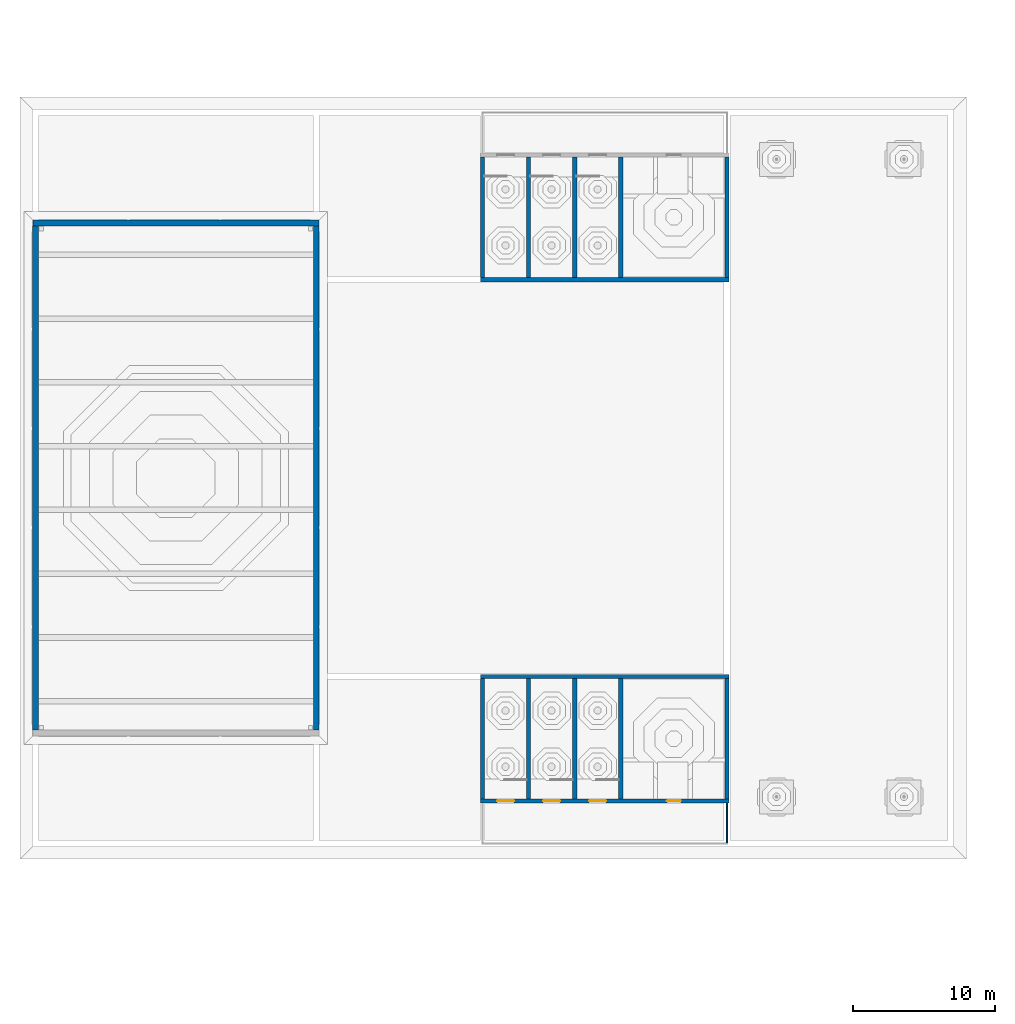
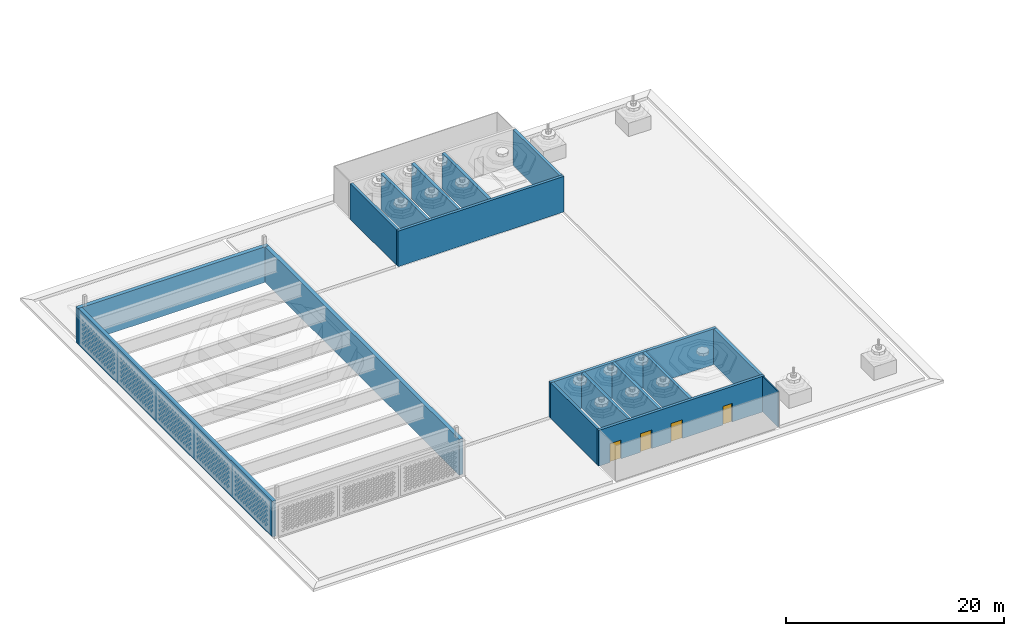
# One storey, part 7 of 63: 17 walls, 4 doors, 4 openings.
"""IFC4 building model written with IfcOpenShell, lengths in metres."""

from ifc_helpers import new_model, si_unit, direction, frame, frame_2d, origin, place, context, subcontext, project, spatial, rectangle, extrude, material, layer, layer_set, type_object, element, fill, save


model = new_model("IFC4")

# Units and contexts
model_context = context("Model", 3, precision=1e-05, world=origin(), true_north=direction((0.0, 1.0)))
body_context = subcontext(model_context, "Body", "Model", "MODEL_VIEW")
ifc_project = project(units=[si_unit("LENGTHUNIT", "METRE"), si_unit("AREAUNIT", "SQUARE_METRE"), si_unit("VOLUMEUNIT", "CUBIC_METRE"), si_unit("PLANEANGLEUNIT", "RADIAN"), si_unit("MASSUNIT", "GRAM", prefix="KILO")], contexts=[model_context])

# Site, building, storey
site_placement = place(None, origin())
site = spatial("IfcSite", under=ifc_project, at=site_placement, CompositionType="ELEMENT")
building_placement = place(site_placement, origin())
building = spatial("IfcBuilding", under=site, at=building_placement, Name="Noorbagh Ring Tower", CompositionType="ELEMENT")
storey_placement = place(building_placement, frame((0.0, 0.0, 25.0)))
storey = spatial("IfcBuildingStorey", under=building, at=storey_placement, Name="L04", CompositionType="ELEMENT", Elevation=25.0)

# Walls
ifc_material_1 = material(Name="Gypsum board on steel studs", Category="steel")
ifc_layer_1 = layer(ifc_material_1, 0.10009765625)
ifc_layer_set_1 = layer_set([ifc_layer_1], Name="Gypsum board on steel studs")
wall_type_1 = type_object("IfcWallType", Name="TH-PART-100", PredefinedType="PARTITIONING", material=ifc_layer_set_1)
wall_1_placement = place(storey_placement, frame((-111.0, -20.75, 0.0), z_axis=(0.0, 0.0, 1.0), x_axis=(0.0, 1.0, 0.0)))
element("IfcWall", 1, at=wall_1_placement, inside=storey, type_object=wall_type_1, Name="L04/th-wall/022", PredefinedType="PARTITIONING", context=body_context, shape_type="SweptSolid", body=[
    extrude(rectangle(XDim=2.800048828125, YDim=0.10009765625, at=frame_2d((1.39990234375, 0.0))), origin(), (0.0, 0.0, 1.0), 4.0),
])
ifc_material_2 = material(Name="Concrete C50/60", Category="concrete")
ifc_layer_2 = layer(ifc_material_2, 0.300048828125)
ifc_layer_set_2 = layer_set([ifc_layer_2], Name="Concrete C50/60")
wall_type_2 = type_object("IfcWallType", Name="TH-WALL-CORE", PredefinedType="SHEAR", material=ifc_layer_set_2)
for number, where, z_axis, x_axis, name in (
    (2, (-121.75, -17.64990234375, 0.0), (0.0, 0.0, 1.0), (0.0, 1.0, 0.0), "Head house wall"),
    (3, (-118.5, -17.64990234375, 0.0), (0.0, 0.0, 1.0), (0.0, 1.0, 0.0), "Head house wall"),
    (4, (-121.75, 19.14990234375, 0.0), (0.0, 0.0, 1.0), (0.0, 1.0, 0.0), "Head house wall"),
    (5, (-118.5, 19.14990234375, 0.0), (0.0, 0.0, 1.0), (0.0, 1.0, 0.0), "Head house wall"),
):
    element("IfcWall", number, at=place(storey_placement, frame(where, z_axis=z_axis, x_axis=x_axis)), inside=storey, type_object=wall_type_2, Name=name, PredefinedType="SHEAR", context=body_context, shape_type="SweptSolid", body=[
        extrude(rectangle(XDim=8.5, YDim=0.300048828125, at=frame_2d((4.25, 0.0))), origin(), (0.0, 0.0, 1.0), 4.0),
    ])

# Wall, openings, doors
ifc_material_3 = material(Name="Concrete C50/60", Category="concrete")
ifc_layer_3 = layer(ifc_material_3, 0.300048828125)
ifc_layer_set_3 = layer_set([ifc_layer_3], Name="Concrete C50/60")
wall_type_3 = type_object("IfcWallType", Name="TH-WALL-CORE-ROOF", PredefinedType="SHEAR", material=ifc_layer_set_3)
wall_2_placement = place(storey_placement, frame((-128.39990234375, -17.800048828125, 0.0), z_axis=(0.0, 0.0, 1.0), x_axis=(1.0, 0.0, 0.0)))
wall_2 = element("IfcWall", 6, at=wall_2_placement, inside=storey, type_object=wall_type_3, Name="Head house wall", PredefinedType="SHEAR", context=body_context, shape_type="SweptSolid", body=[
    extrude(rectangle(XDim=17.5498046875, YDim=0.300048828125, at=frame_2d((8.77490234375, 0.0))), origin(), (0.0, 0.0, 1.0), 4.0),
])
opening_1_placement = place(wall_2_placement, frame((4.425048828125, 0.0, 0.0)))
opening_1 = element("IfcOpeningElement", 7, at=opening_1_placement, cuts=wall_2, Name="Opening TL04-D01", PredefinedType="OPENING", context=body_context, shape_type="SweptSolid", body=[
    extrude(rectangle(XDim=1.199951171875, YDim=2.10009765625, at=frame_2d((0.60009765625, 1.050048828125))), frame((0.0, 0.16015625, 0.0), z_axis=(0.0, -1.0, 0.0), x_axis=(1.0, 0.0, 0.0)), (0.0, 0.0, 1.0), 0.320068359375),
])
opening_2_placement = place(wall_2_placement, frame((7.675048828125, 0.0, 0.0)))
opening_2 = element("IfcOpeningElement", 8, at=opening_2_placement, cuts=wall_2, Name="Opening TL04-D02", PredefinedType="OPENING", context=body_context, shape_type="SweptSolid", body=[
    extrude(rectangle(XDim=1.199951171875, YDim=2.10009765625, at=frame_2d((0.60009765625, 1.050048828125))), frame((0.0, 0.16015625, 0.0), z_axis=(0.0, -1.0, 0.0), x_axis=(1.0, 0.0, 0.0)), (0.0, 0.0, 1.0), 0.320068359375),
])
opening_3_placement = place(wall_2_placement, frame((1.175048828125, 0.0, 0.0)))
opening_3 = element("IfcOpeningElement", 9, at=opening_3_placement, cuts=wall_2, Name="Opening TL04-D03", PredefinedType="OPENING", context=body_context, shape_type="SweptSolid", body=[
    extrude(rectangle(XDim=1.199951171875, YDim=2.10009765625, at=frame_2d((0.60009765625, 1.050048828125))), frame((0.0, 0.16015625, 0.0), z_axis=(0.0, -1.0, 0.0), x_axis=(1.0, 0.0, 0.0)), (0.0, 0.0, 1.0), 0.320068359375),
])
opening_4_placement = place(wall_2_placement, frame((13.14990234375, 0.0, 0.0)))
opening_4 = element("IfcOpeningElement", 10, at=opening_4_placement, cuts=wall_2, Name="Opening TL04-D04", PredefinedType="OPENING", context=body_context, shape_type="SweptSolid", body=[
    extrude(rectangle(XDim=1.0, YDim=2.10009765625, at=frame_2d((0.5, 1.050048828125))), frame((0.0, 0.16015625, 0.0), z_axis=(0.0, -1.0, 0.0), x_axis=(1.0, 0.0, 0.0)), (0.0, 0.0, 1.0), 0.320068359375),
])
ifc_material_4 = material(Name="Steel", Category="steel")
door_type_1 = type_object("IfcDoorType", Name="TH-DOOR-EXT-1000", OperationType="SINGLE_SWING_LEFT", PredefinedType="DOOR", material=ifc_material_4)
door_1_placement = place(opening_4_placement, origin())
door_1 = element("IfcDoor", 11, at=door_1_placement, inside=storey, type_object=door_type_1, Name="Door Roof terrace to Hoist plant room S TL04-D04", OperationType="SINGLE_SWING_LEFT", OverallHeight=2.10009765625, OverallWidth=1.0, PredefinedType="DOOR", context=body_context, shape_type="SweptSolid", body=[
    extrude(rectangle(XDim=1.0, YDim=2.10009765625, at=frame_2d((0.5, 1.050048828125))), frame((0.0, 0.02490234375, 0.0), z_axis=(0.0, -1.0, 0.0), x_axis=(1.0, 0.0, 0.0)), (0.0, 0.0, 1.0), 0.050048828125),
])
fill(opening_4, door_1)
ifc_material_5 = material(Name="Steel", Category="steel")
door_type_2 = type_object("IfcDoorType", Name="TH-DOOR-STAIR-1200", OperationType="SINGLE_SWING_LEFT", PredefinedType="DOOR", material=ifc_material_5)
door_2_placement = place(opening_1_placement, origin())
door_2 = element("IfcDoor", 12, at=door_2_placement, inside=storey, type_object=door_type_2, Name="Door Stair head S1 to Roof terrace TL04-D01", OperationType="SINGLE_SWING_LEFT", OverallHeight=2.10009765625, OverallWidth=1.199951171875, PredefinedType="DOOR", context=body_context, shape_type="SweptSolid", body=[
    extrude(rectangle(XDim=1.199951171875, YDim=2.10009765625, at=frame_2d((0.60009765625, 1.050048828125))), frame((0.0, 0.02490234375, 0.0), z_axis=(0.0, -1.0, 0.0), x_axis=(1.0, 0.0, 0.0)), (0.0, 0.0, 1.0), 0.050048828125),
])
fill(opening_1, door_2)
door_3_placement = place(opening_2_placement, origin())
door_3 = element("IfcDoor", 13, at=door_3_placement, inside=storey, type_object=door_type_2, Name="Door Stair head S2 to Roof terrace TL04-D02", OperationType="SINGLE_SWING_LEFT", OverallHeight=2.10009765625, OverallWidth=1.199951171875, PredefinedType="DOOR", context=body_context, shape_type="SweptSolid", body=[
    extrude(rectangle(XDim=1.199951171875, YDim=2.10009765625, at=frame_2d((0.60009765625, 1.050048828125))), frame((0.0, 0.02490234375, 0.0), z_axis=(0.0, -1.0, 0.0), x_axis=(1.0, 0.0, 0.0)), (0.0, 0.0, 1.0), 0.050048828125),
])
fill(opening_2, door_3)
door_4_placement = place(opening_3_placement, origin())
door_4 = element("IfcDoor", 14, at=door_4_placement, inside=storey, type_object=door_type_2, Name="Door Stair head S3 to Roof terrace TL04-D03", OperationType="SINGLE_SWING_LEFT", OverallHeight=2.10009765625, OverallWidth=1.199951171875, PredefinedType="DOOR", context=body_context, shape_type="SweptSolid", body=[
    extrude(rectangle(XDim=1.199951171875, YDim=2.10009765625, at=frame_2d((0.60009765625, 1.050048828125))), frame((0.0, 0.02490234375, 0.0), z_axis=(0.0, -1.0, 0.0), x_axis=(1.0, 0.0, 0.0)), (0.0, 0.0, 1.0), 0.050048828125),
])
fill(opening_3, door_4)

# Walls
wall_3_placement = place(storey_placement, frame((-128.39990234375, -9.0, 0.0), z_axis=(0.0, 0.0, 1.0), x_axis=(1.0, 0.0, 0.0)))
element("IfcWall", 15, at=wall_3_placement, inside=storey, type_object=wall_type_3, Name="Head house wall", PredefinedType="SHEAR", context=body_context, shape_type="SweptSolid", body=[
    extrude(rectangle(XDim=17.5498046875, YDim=0.300048828125, at=frame_2d((8.77490234375, 0.0))), origin(), (0.0, 0.0, 1.0), 4.0),
])
for number, where, z_axis, x_axis, name in (
    (16, (-128.25, -17.64990234375, 0.0), (0.0, 0.0, 1.0), (0.0, 1.0, 0.0), "Head house wall"),
    (17, (-125.0, -17.64990234375, 0.0), (0.0, 0.0, 1.0), (0.0, 1.0, 0.0), "Head house wall"),
    (18, (-111.0, -17.64990234375, 0.0), (0.0, 0.0, 1.0), (0.0, 1.0, 0.0), "Head house wall"),
):
    element("IfcWall", number, at=place(storey_placement, frame(where, z_axis=z_axis, x_axis=x_axis)), inside=storey, type_object=wall_type_3, Name=name, PredefinedType="SHEAR", context=body_context, shape_type="SweptSolid", body=[
        extrude(rectangle(XDim=8.5, YDim=0.300048828125, at=frame_2d((4.25, 0.0))), origin(), (0.0, 0.0, 1.0), 4.0),
    ])
wall_4_placement = place(storey_placement, frame((-128.39990234375, 19.0, 0.0), z_axis=(0.0, 0.0, 1.0), x_axis=(1.0, 0.0, 0.0)))
element("IfcWall", 19, at=wall_4_placement, inside=storey, type_object=wall_type_3, Name="Head house wall", PredefinedType="SHEAR", context=body_context, shape_type="SweptSolid", body=[
    extrude(rectangle(XDim=17.5498046875, YDim=0.300048828125, at=frame_2d((8.77490234375, 0.0))), origin(), (0.0, 0.0, 1.0), 4.0),
])
for number, where, z_axis, x_axis, name in (
    (20, (-128.25, 19.14990234375, 0.0), (0.0, 0.0, 1.0), (0.0, 1.0, 0.0), "Head house wall"),
    (21, (-125.0, 19.14990234375, 0.0), (0.0, 0.0, 1.0), (0.0, 1.0, 0.0), "Head house wall"),
    (22, (-111.0, 19.14990234375, 0.0), (0.0, 0.0, 1.0), (0.0, 1.0, 0.0), "Head house wall"),
):
    element("IfcWall", number, at=place(storey_placement, frame(where, z_axis=z_axis, x_axis=x_axis)), inside=storey, type_object=wall_type_3, Name=name, PredefinedType="SHEAR", context=body_context, shape_type="SweptSolid", body=[
        extrude(rectangle(XDim=8.5, YDim=0.300048828125, at=frame_2d((4.25, 0.0))), origin(), (0.0, 0.0, 1.0), 4.0),
    ])
ifc_material_6 = material(Name="Concrete C40/50", Category="concrete")
ifc_layer_4 = layer(ifc_material_6, 0.39990234375)
ifc_layer_set_4 = layer_set([ifc_layer_4], Name="Concrete C40/50")
wall_type_4 = type_object("IfcWallType", Name="TH-WALL-OUTER", PredefinedType="SOLIDWALL", material=ifc_layer_set_4)
wall_5_placement = place(storey_placement, frame((-159.800048828125, -12.800048828125, 0.0), z_axis=(0.0, 0.0, 1.0), x_axis=(0.0, 1.0, 0.0)))
element("IfcWall", 23, at=wall_5_placement, inside=storey, type_object=wall_type_4, Name="Stage house wall west", PredefinedType="SOLIDWALL", context=body_context, shape_type="SweptSolid", body=[
    extrude(rectangle(XDim=35.60009765625, YDim=0.39990234375, at=frame_2d((17.800048828125, 0.0))), origin(), (0.0, 0.0, 1.0), 4.0),
])
wall_6_placement = place(storey_placement, frame((-160.0, 23.0, 0.0), z_axis=(0.0, 0.0, 1.0), x_axis=(1.0, 0.0, 0.0)))
element("IfcWall", 24, at=wall_6_placement, inside=storey, type_object=wall_type_4, Name="Stage house wall north", PredefinedType="SOLIDWALL", context=body_context, shape_type="SweptSolid", body=[
    extrude(rectangle(XDim=20.199951171875, YDim=0.39990234375, at=frame_2d((10.10009765625, 0.0))), origin(), (0.0, 0.0, 1.0), 4.0),
])
wall_7_placement = place(storey_placement, frame((-140.0, -12.800048828125, 0.0), z_axis=(0.0, 0.0, 1.0), x_axis=(0.0, 1.0, 0.0)))
element("IfcWall", 25, at=wall_7_placement, inside=storey, type_object=wall_type_4, Name="Stage house wall east", PredefinedType="SOLIDWALL", context=body_context, shape_type="SweptSolid", body=[
    extrude(rectangle(XDim=35.60009765625, YDim=0.39990234375, at=frame_2d((17.800048828125, 0.0))), origin(), (0.0, 0.0, 1.0), 4.0),
])

save(model, "model.ifc")
